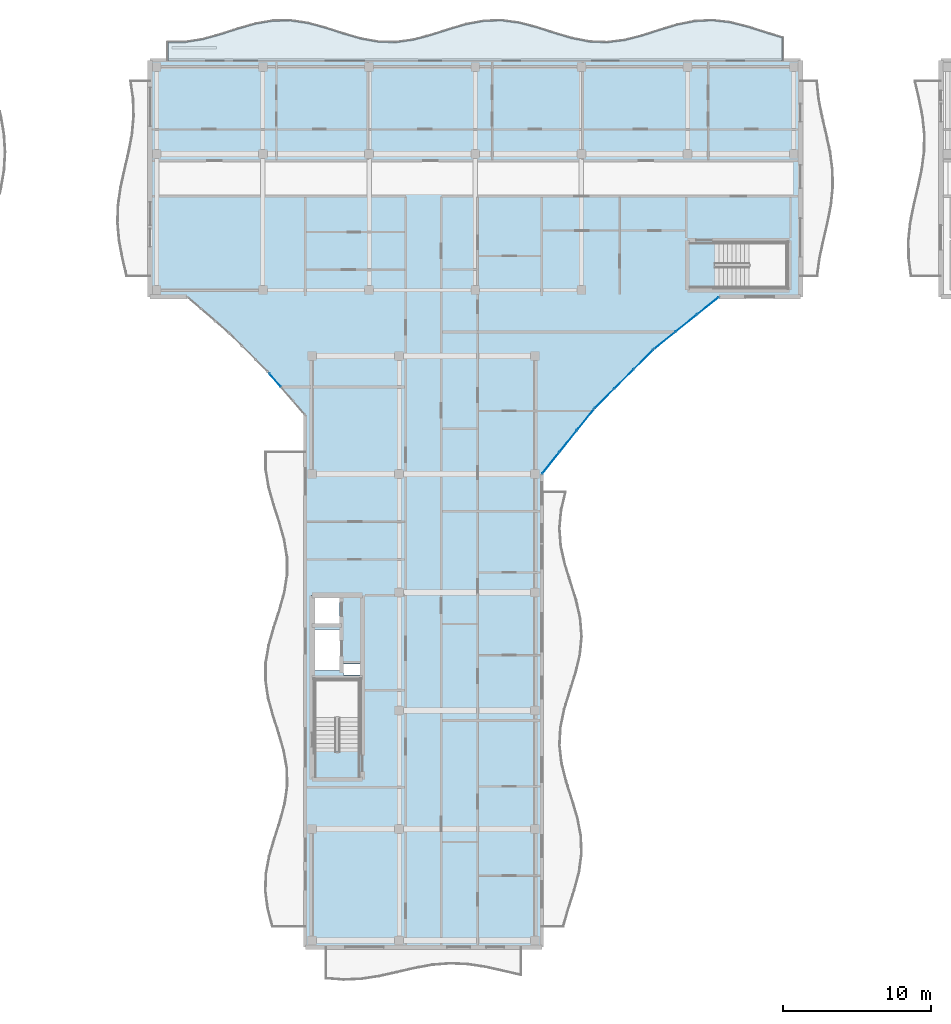
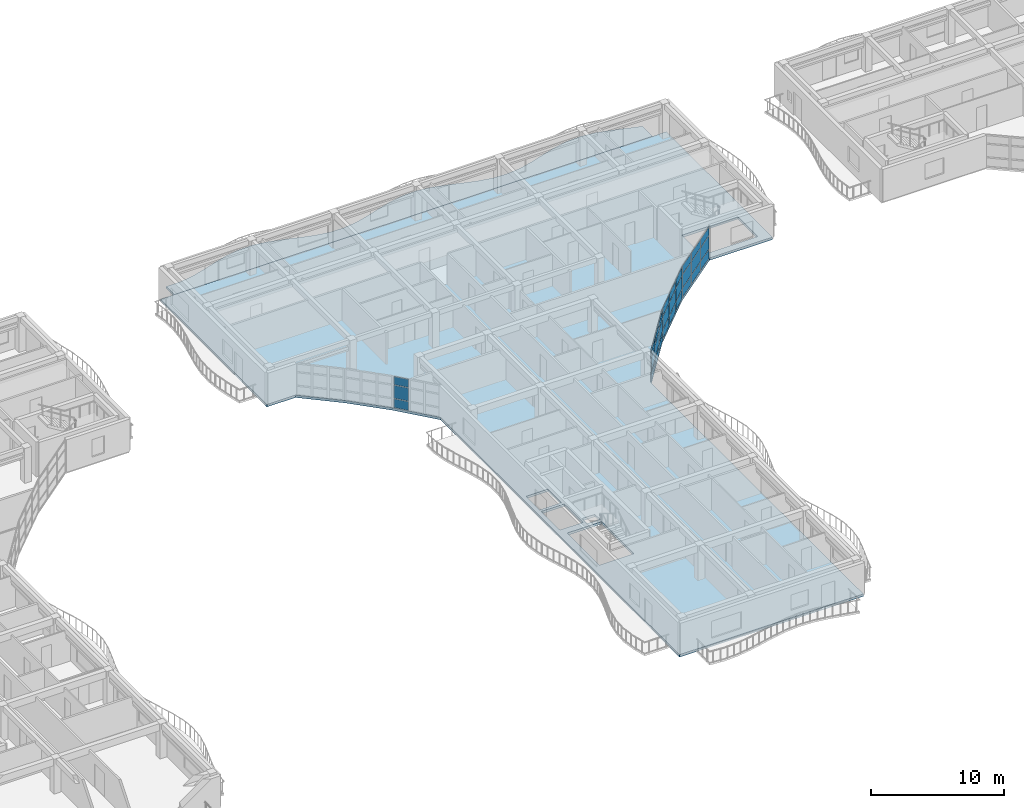
# One storey, part 27 of 72: 30 plates, 2 slabs, 4 elements without a shape of their own.
"""IFC4 building model written with IfcOpenShell, lengths in metres."""

from ifc_helpers import new_model, si_unit, direction, frame, origin, origin_2d, place, context, subcontext, project, spatial, polyline, rectangle, outline, extrude, material, layer, layer_set, type_object, element, aggregate, save


model = new_model("IFC4")

# Units and contexts
model_context = context("Model", 3, precision=1e-05, world=origin(), true_north=direction((0.0, 1.0)))
body_context = subcontext(model_context, "Body", "Model", "MODEL_VIEW")
ifc_project = project(units=[si_unit("LENGTHUNIT", "METRE"), si_unit("AREAUNIT", "SQUARE_METRE"), si_unit("VOLUMEUNIT", "CUBIC_METRE"), si_unit("PLANEANGLEUNIT", "RADIAN"), si_unit("MASSUNIT", "GRAM", prefix="KILO")], contexts=[model_context])

# Site, building, storey
site_placement = place(None, origin())
site = spatial("IfcSite", under=ifc_project, at=site_placement, CompositionType="ELEMENT")
building_placement = place(site_placement, origin())
building = spatial("IfcBuilding", under=site, at=building_placement, Name="Keldmere Railside Commons", CompositionType="ELEMENT")
storey_placement = place(building_placement, frame((0.0, 0.0, 16.9599609375)))
storey = spatial("IfcBuildingStorey", under=building, at=storey_placement, Name="L05", CompositionType="ELEMENT", Elevation=16.9599609375)

# Curtain wall, plates
ifc_material_1 = material(Name="Thermally Broken Aluminium", Category="aluminium")
ifc_layer_1 = layer(ifc_material_1, 0.159912109375, Name="Court Chord Wintergarden CW 4800x2850")
ifc_layer_set_1 = layer_set([ifc_layer_1], Name="Thermally Broken Aluminium")
curtain_wall_type_1 = type_object("IfcCurtainWallType", Name="Court Chord Wintergarden CW 4800x2850", PredefinedType="NOTDEFINED", material=ifc_layer_set_1)
curtain_wall_1_placement = place(storey_placement, origin())
curtain_wall_1 = element("IfcCurtainWall", 1, at=curtain_wall_1_placement, inside=storey, type_object=curtain_wall_type_1, Name="CW-12 CW-L05-115", PredefinedType="NOTDEFINED")
ifc_material_2 = material(Name="Low-E Insulated Double Glazing", Category="glass")
ifc_layer_2 = layer(ifc_material_2, 0.033935546875, Name="Acoustic Laminated Vision Panel 34")
ifc_layer_set_2 = layer_set([ifc_layer_2], Name="Low-E Insulated Double Glazing")
plate_type_1 = type_object("IfcPlateType", Name="Acoustic Laminated Vision Panel 34", PredefinedType="CURTAIN_PANEL", material=ifc_layer_set_2)
plate_1_placement = place(storey_placement, frame((122.951416015625, 91.678955078125, 0.06494140625), z_axis=(0.0, 0.0, 1.0), x_axis=(-0.625768080915, -0.780009172323, 0.0)))
plate_1 = element("IfcPlate", 2, at=plate_1_placement, type_object=plate_type_1, Name="CW-12 panel 1.1", PredefinedType="CURTAIN_PANEL", context=body_context, shape_type="SweptSolid", body=[
    extrude(rectangle(XDim=1.795654296875, YDim=0.033935546875, at=origin_2d()), origin(), (0.0, 0.0, 1.0), 0.802490234375),
])
plate_2_placement = place(storey_placement, frame((122.951416015625, 91.678955078125, 0.9326171875), z_axis=(0.0, 0.0, 1.0), x_axis=(-0.625768080915, -0.780009172323, 0.0)))
plate_2 = element("IfcPlate", 3, at=plate_2_placement, type_object=plate_type_1, Name="CW-12 panel 1.2", PredefinedType="CURTAIN_PANEL", context=body_context, shape_type="SweptSolid", body=[
    extrude(rectangle(XDim=1.795654296875, YDim=0.033935546875, at=origin_2d()), origin(), (0.0, 0.0, 1.0), 1.18505859375),
])
plate_3_placement = place(storey_placement, frame((122.951416015625, 91.678955078125, 2.1826171875), z_axis=(0.0, 0.0, 1.0), x_axis=(-0.625768080915, -0.780009172323, 0.0)))
plate_3 = element("IfcPlate", 4, at=plate_3_placement, type_object=plate_type_1, Name="CW-12 panel 1.3", PredefinedType="CURTAIN_PANEL", context=body_context, shape_type="SweptSolid", body=[
    extrude(rectangle(XDim=1.795654296875, YDim=0.033935546875, at=origin_2d()), origin(), (0.0, 0.0, 1.0), 0.732421875),
])
plate_4_placement = place(storey_placement, frame((121.777099609375, 90.215087890625, 0.06494140625), z_axis=(0.0, 0.0, 1.0), x_axis=(-0.625768080915, -0.780009172323, 0.0)))
plate_4 = element("IfcPlate", 5, at=plate_4_placement, type_object=plate_type_1, Name="CW-12 panel 2.1", PredefinedType="CURTAIN_PANEL", context=body_context, shape_type="SweptSolid", body=[
    extrude(rectangle(XDim=1.828125, YDim=0.033935546875, at=origin_2d()), origin(), (0.0, 0.0, 1.0), 0.802490234375),
])
plate_5_placement = place(storey_placement, frame((121.777099609375, 90.215087890625, 0.9326171875), z_axis=(0.0, 0.0, 1.0), x_axis=(-0.625768080915, -0.780009172323, 0.0)))
plate_5 = element("IfcPlate", 6, at=plate_5_placement, type_object=plate_type_1, Name="CW-12 panel 2.2", PredefinedType="CURTAIN_PANEL", context=body_context, shape_type="SweptSolid", body=[
    extrude(rectangle(XDim=1.828125, YDim=0.033935546875, at=origin_2d()), origin(), (0.0, 0.0, 1.0), 1.18505859375),
])
plate_6_placement = place(storey_placement, frame((121.777099609375, 90.215087890625, 2.1826171875), z_axis=(0.0, 0.0, 1.0), x_axis=(-0.625768080915, -0.780009172323, 0.0)))
plate_6 = element("IfcPlate", 7, at=plate_6_placement, type_object=plate_type_1, Name="CW-12 panel 2.3", PredefinedType="CURTAIN_PANEL", context=body_context, shape_type="SweptSolid", body=[
    extrude(rectangle(XDim=1.828125, YDim=0.033935546875, at=origin_2d()), origin(), (0.0, 0.0, 1.0), 0.732421875),
])
plate_7_placement = place(storey_placement, frame((120.6025390625, 88.7509765625, 0.06494140625), z_axis=(0.0, 0.0, 1.0), x_axis=(-0.625768080915, -0.780009172323, 0.0)))
plate_7 = element("IfcPlate", 8, at=plate_7_placement, type_object=plate_type_1, Name="CW-12 panel 3.1", PredefinedType="CURTAIN_PANEL", context=body_context, shape_type="SweptSolid", body=[
    extrude(rectangle(XDim=1.795654296875, YDim=0.033935546875, at=origin_2d()), origin(), (0.0, 0.0, 1.0), 0.802490234375),
])
plate_8_placement = place(storey_placement, frame((120.6025390625, 88.7509765625, 0.9326171875), z_axis=(0.0, 0.0, 1.0), x_axis=(-0.625768080915, -0.780009172323, 0.0)))
plate_8 = element("IfcPlate", 9, at=plate_8_placement, type_object=plate_type_1, Name="CW-12 panel 3.2", PredefinedType="CURTAIN_PANEL", context=body_context, shape_type="SweptSolid", body=[
    extrude(rectangle(XDim=1.795654296875, YDim=0.033935546875, at=origin_2d()), origin(), (0.0, 0.0, 1.0), 1.18505859375),
])
plate_9_placement = place(storey_placement, frame((120.6025390625, 88.7509765625, 2.1826171875), z_axis=(0.0, 0.0, 1.0), x_axis=(-0.625768080915, -0.780009172323, 0.0)))
plate_9 = element("IfcPlate", 10, at=plate_9_placement, type_object=plate_type_1, Name="CW-12 panel 3.3", PredefinedType="CURTAIN_PANEL", context=body_context, shape_type="SweptSolid", body=[
    extrude(rectangle(XDim=1.795654296875, YDim=0.033935546875, at=origin_2d()), origin(), (0.0, 0.0, 1.0), 0.732421875),
])
aggregate(curtain_wall_1, [plate_1, plate_2, plate_3, plate_4, plate_5, plate_6, plate_7, plate_8, plate_9])

ifc_layer_3 = layer(ifc_material_1, 0.159912109375, Name="Court Chord Wintergarden CW 5400x2850")
ifc_layer_set_3 = layer_set([ifc_layer_3], Name="Thermally Broken Aluminium")
curtain_wall_type_2 = type_object("IfcCurtainWallType", Name="Court Chord Wintergarden CW 5400x2850", PredefinedType="NOTDEFINED", material=ifc_layer_set_3)
curtain_wall_2_placement = place(storey_placement, origin())
curtain_wall_2 = element("IfcCurtainWall", 11, at=curtain_wall_2_placement, inside=storey, type_object=curtain_wall_type_2, Name="CW-13 CW-L05-116", PredefinedType="NOTDEFINED")
ifc_layer_4 = layer(ifc_material_2, 0.031982421875, Name="Clerestory Solar-Control Vision Panel 32")
ifc_layer_set_4 = layer_set([ifc_layer_4], Name="Low-E Insulated Double Glazing")
plate_type_2 = type_object("IfcPlateType", Name="Clerestory Solar-Control Vision Panel 32", PredefinedType="CURTAIN_PANEL", material=ifc_layer_set_4)
plate_10_placement = place(storey_placement, frame((126.88916015625, 95.76513671875, 0.06494140625), z_axis=(0.0, 0.0, 1.0), x_axis=(-0.707106781187, -0.707106781187, 0.0)))
plate_10 = element("IfcPlate", 12, at=plate_10_placement, type_object=plate_type_2, Name="CW-13 panel 1.1", PredefinedType="CURTAIN_PANEL", context=body_context, shape_type="SweptSolid", body=[
    extrude(rectangle(XDim=1.795654296875, YDim=0.031982421875, at=origin_2d()), origin(), (0.0, 0.0, 1.0), 0.802490234375),
])
plate_11_placement = place(storey_placement, frame((126.88916015625, 95.76513671875, 0.9326171875), z_axis=(0.0, 0.0, 1.0), x_axis=(-0.707106781187, -0.707106781187, 0.0)))
plate_11 = element("IfcPlate", 13, at=plate_11_placement, type_object=plate_type_2, Name="CW-13 panel 1.2", PredefinedType="CURTAIN_PANEL", context=body_context, shape_type="SweptSolid", body=[
    extrude(rectangle(XDim=1.795654296875, YDim=0.031982421875, at=origin_2d()), origin(), (0.0, 0.0, 1.0), 1.18505859375),
])
plate_12_placement = place(storey_placement, frame((126.88916015625, 95.76513671875, 2.1826171875), z_axis=(0.0, 0.0, 1.0), x_axis=(-0.707106781187, -0.707106781187, 0.0)))
plate_12 = element("IfcPlate", 14, at=plate_12_placement, type_object=plate_type_2, Name="CW-13 panel 1.3", PredefinedType="CURTAIN_PANEL", context=body_context, shape_type="SweptSolid", body=[
    extrude(rectangle(XDim=1.795654296875, YDim=0.031982421875, at=origin_2d()), origin(), (0.0, 0.0, 1.0), 0.732421875),
])
plate_13_placement = place(storey_placement, frame((125.56201171875, 94.43798828125, 0.06494140625), z_axis=(0.0, 0.0, 1.0), x_axis=(-0.707106781187, -0.707106781187, 0.0)))
plate_13 = element("IfcPlate", 15, at=plate_13_placement, type_object=plate_type_2, Name="CW-13 panel 2.1", PredefinedType="CURTAIN_PANEL", context=body_context, shape_type="SweptSolid", body=[
    extrude(rectangle(XDim=1.828125, YDim=0.031982421875, at=origin_2d()), origin(), (0.0, 0.0, 1.0), 0.802490234375),
])
plate_14_placement = place(storey_placement, frame((125.56201171875, 94.43798828125, 0.9326171875), z_axis=(0.0, 0.0, 1.0), x_axis=(-0.707106781187, -0.707106781187, 0.0)))
plate_14 = element("IfcPlate", 16, at=plate_14_placement, type_object=plate_type_2, Name="CW-13 panel 2.2", PredefinedType="CURTAIN_PANEL", context=body_context, shape_type="SweptSolid", body=[
    extrude(rectangle(XDim=1.828125, YDim=0.031982421875, at=origin_2d()), origin(), (0.0, 0.0, 1.0), 1.18505859375),
])
plate_15_placement = place(storey_placement, frame((125.56201171875, 94.43798828125, 2.1826171875), z_axis=(0.0, 0.0, 1.0), x_axis=(-0.707106781187, -0.707106781187, 0.0)))
plate_15 = element("IfcPlate", 17, at=plate_15_placement, type_object=plate_type_2, Name="CW-13 panel 2.3", PredefinedType="CURTAIN_PANEL", context=body_context, shape_type="SweptSolid", body=[
    extrude(rectangle(XDim=1.828125, YDim=0.031982421875, at=origin_2d()), origin(), (0.0, 0.0, 1.0), 0.732421875),
])
plate_16_placement = place(storey_placement, frame((124.23486328125, 93.11083984375, 0.06494140625), z_axis=(0.0, 0.0, 1.0), x_axis=(-0.707106781187, -0.707106781187, 0.0)))
plate_16 = element("IfcPlate", 18, at=plate_16_placement, type_object=plate_type_2, Name="CW-13 panel 3.1", PredefinedType="CURTAIN_PANEL", context=body_context, shape_type="SweptSolid", body=[
    extrude(rectangle(XDim=1.795654296875, YDim=0.031982421875, at=origin_2d()), origin(), (0.0, 0.0, 1.0), 0.802490234375),
])
plate_17_placement = place(storey_placement, frame((124.23486328125, 93.11083984375, 0.9326171875), z_axis=(0.0, 0.0, 1.0), x_axis=(-0.707106781187, -0.707106781187, 0.0)))
plate_17 = element("IfcPlate", 19, at=plate_17_placement, type_object=plate_type_2, Name="CW-13 panel 3.2", PredefinedType="CURTAIN_PANEL", context=body_context, shape_type="SweptSolid", body=[
    extrude(rectangle(XDim=1.795654296875, YDim=0.031982421875, at=origin_2d()), origin(), (0.0, 0.0, 1.0), 1.18505859375),
])
plate_18_placement = place(storey_placement, frame((124.23486328125, 93.11083984375, 2.1826171875), z_axis=(0.0, 0.0, 1.0), x_axis=(-0.707106781187, -0.707106781187, 0.0)))
plate_18 = element("IfcPlate", 20, at=plate_18_placement, type_object=plate_type_2, Name="CW-13 panel 3.3", PredefinedType="CURTAIN_PANEL", context=body_context, shape_type="SweptSolid", body=[
    extrude(rectangle(XDim=1.795654296875, YDim=0.031982421875, at=origin_2d()), origin(), (0.0, 0.0, 1.0), 0.732421875),
])
aggregate(curtain_wall_2, [plate_10, plate_11, plate_12, plate_13, plate_14, plate_15, plate_16, plate_17, plate_18])

curtain_wall_3_placement = place(storey_placement, origin())
curtain_wall_3 = element("IfcCurtainWall", 21, at=curtain_wall_3_placement, inside=storey, type_object=curtain_wall_type_1, Name="CW-12 CW-L05-117", PredefinedType="NOTDEFINED")
ifc_layer_5 = layer(ifc_material_2, 0.028076171875, Name="Low-E Vision Glazing Panel 28")
ifc_layer_set_5 = layer_set([ifc_layer_5], Name="Low-E Insulated Double Glazing")
plate_type_3 = type_object("IfcPlateType", Name="Low-E Vision Glazing Panel 28", PredefinedType="CURTAIN_PANEL", material=ifc_layer_set_5)
plate_19_placement = place(storey_placement, frame((131.2490234375, 99.3974609375, 0.06494140625), z_axis=(0.0, 0.0, 1.0), x_axis=(-0.780009172323, -0.625768080915, 0.0)))
plate_19 = element("IfcPlate", 22, at=plate_19_placement, type_object=plate_type_3, Name="CW-12 panel 1.1", PredefinedType="CURTAIN_PANEL", context=body_context, shape_type="SweptSolid", body=[
    extrude(rectangle(XDim=1.795654296875, YDim=0.028076171875, at=origin_2d()), origin(), (0.0, 0.0, 1.0), 0.802490234375),
])
plate_20_placement = place(storey_placement, frame((131.2490234375, 99.3974609375, 0.9326171875), z_axis=(0.0, 0.0, 1.0), x_axis=(-0.780009172323, -0.625768080915, 0.0)))
plate_20 = element("IfcPlate", 23, at=plate_20_placement, type_object=plate_type_3, Name="CW-12 panel 1.2", PredefinedType="CURTAIN_PANEL", context=body_context, shape_type="SweptSolid", body=[
    extrude(rectangle(XDim=1.795654296875, YDim=0.028076171875, at=origin_2d()), origin(), (0.0, 0.0, 1.0), 1.18505859375),
])
plate_21_placement = place(storey_placement, frame((131.2490234375, 99.3974609375, 2.1826171875), z_axis=(0.0, 0.0, 1.0), x_axis=(-0.780009172323, -0.625768080915, 0.0)))
plate_21 = element("IfcPlate", 24, at=plate_21_placement, type_object=plate_type_3, Name="CW-12 panel 1.3", PredefinedType="CURTAIN_PANEL", context=body_context, shape_type="SweptSolid", body=[
    extrude(rectangle(XDim=1.795654296875, YDim=0.028076171875, at=origin_2d()), origin(), (0.0, 0.0, 1.0), 0.732421875),
])
plate_22_placement = place(storey_placement, frame((129.784912109375, 98.222900390625, 0.06494140625), z_axis=(0.0, 0.0, 1.0), x_axis=(-0.780009172323, -0.625768080915, 0.0)))
plate_22 = element("IfcPlate", 25, at=plate_22_placement, type_object=plate_type_3, Name="CW-12 panel 2.1", PredefinedType="CURTAIN_PANEL", context=body_context, shape_type="SweptSolid", body=[
    extrude(rectangle(XDim=1.828125, YDim=0.028076171875, at=origin_2d()), origin(), (0.0, 0.0, 1.0), 0.802490234375),
])
plate_23_placement = place(storey_placement, frame((129.784912109375, 98.222900390625, 0.9326171875), z_axis=(0.0, 0.0, 1.0), x_axis=(-0.780009172323, -0.625768080915, 0.0)))
plate_23 = element("IfcPlate", 26, at=plate_23_placement, type_object=plate_type_3, Name="CW-12 panel 2.2", PredefinedType="CURTAIN_PANEL", context=body_context, shape_type="SweptSolid", body=[
    extrude(rectangle(XDim=1.828125, YDim=0.028076171875, at=origin_2d()), origin(), (0.0, 0.0, 1.0), 1.18505859375),
])
plate_24_placement = place(storey_placement, frame((129.784912109375, 98.222900390625, 2.1826171875), z_axis=(0.0, 0.0, 1.0), x_axis=(-0.780009172323, -0.625768080915, 0.0)))
plate_24 = element("IfcPlate", 27, at=plate_24_placement, type_object=plate_type_3, Name="CW-12 panel 2.3", PredefinedType="CURTAIN_PANEL", context=body_context, shape_type="SweptSolid", body=[
    extrude(rectangle(XDim=1.828125, YDim=0.028076171875, at=origin_2d()), origin(), (0.0, 0.0, 1.0), 0.732421875),
])
plate_25_placement = place(storey_placement, frame((128.321044921875, 97.048583984375, 0.06494140625), z_axis=(0.0, 0.0, 1.0), x_axis=(-0.780009172323, -0.625768080915, 0.0)))
plate_25 = element("IfcPlate", 28, at=plate_25_placement, type_object=plate_type_3, Name="CW-12 panel 3.1", PredefinedType="CURTAIN_PANEL", context=body_context, shape_type="SweptSolid", body=[
    extrude(rectangle(XDim=1.795654296875, YDim=0.028076171875, at=origin_2d()), origin(), (0.0, 0.0, 1.0), 0.802490234375),
])
plate_26_placement = place(storey_placement, frame((128.321044921875, 97.048583984375, 0.9326171875), z_axis=(0.0, 0.0, 1.0), x_axis=(-0.780009172323, -0.625768080915, 0.0)))
plate_26 = element("IfcPlate", 29, at=plate_26_placement, type_object=plate_type_3, Name="CW-12 panel 3.2", PredefinedType="CURTAIN_PANEL", context=body_context, shape_type="SweptSolid", body=[
    extrude(rectangle(XDim=1.795654296875, YDim=0.028076171875, at=origin_2d()), origin(), (0.0, 0.0, 1.0), 1.18505859375),
])
plate_27_placement = place(storey_placement, frame((128.321044921875, 97.048583984375, 2.1826171875), z_axis=(0.0, 0.0, 1.0), x_axis=(-0.780009172323, -0.625768080915, 0.0)))
plate_27 = element("IfcPlate", 30, at=plate_27_placement, type_object=plate_type_3, Name="CW-12 panel 3.3", PredefinedType="CURTAIN_PANEL", context=body_context, shape_type="SweptSolid", body=[
    extrude(rectangle(XDim=1.795654296875, YDim=0.028076171875, at=origin_2d()), origin(), (0.0, 0.0, 1.0), 0.732421875),
])
aggregate(curtain_wall_3, [plate_19, plate_20, plate_21, plate_22, plate_23, plate_24, plate_25, plate_26, plate_27])

curtain_wall_4_placement = place(storey_placement, origin())
curtain_wall_4 = element("IfcCurtainWall", 31, at=curtain_wall_4_placement, inside=storey, type_object=curtain_wall_type_1, Name="CW-12 CW-L05-120", PredefinedType="NOTDEFINED")
plate_28_placement = place(storey_placement, frame((101.952392578125, 94.369384765625, 0.06494140625), z_axis=(0.0, 0.0, 1.0), x_axis=(-0.653881741053, 0.756596767584, 0.0)))
plate_28 = element("IfcPlate", 32, at=plate_28_placement, type_object=plate_type_3, Name="CW-12 panel 3.1", PredefinedType="CURTAIN_PANEL", context=body_context, shape_type="SweptSolid", body=[
    extrude(rectangle(XDim=1.16162109375, YDim=0.028076171875, at=origin_2d()), origin(), (0.0, 0.0, 1.0), 0.802490234375),
])
plate_29_placement = place(storey_placement, frame((101.952392578125, 94.369384765625, 0.9326171875), z_axis=(0.0, 0.0, 1.0), x_axis=(-0.653881741053, 0.756596767584, 0.0)))
plate_29 = element("IfcPlate", 33, at=plate_29_placement, type_object=plate_type_3, Name="CW-12 panel 3.2", PredefinedType="CURTAIN_PANEL", context=body_context, shape_type="SweptSolid", body=[
    extrude(rectangle(XDim=1.16162109375, YDim=0.028076171875, at=origin_2d()), origin(), (0.0, 0.0, 1.0), 1.18505859375),
])
plate_30_placement = place(storey_placement, frame((101.952392578125, 94.369384765625, 2.1826171875), z_axis=(0.0, 0.0, 1.0), x_axis=(-0.653881741053, 0.756596767584, 0.0)))
plate_30 = element("IfcPlate", 34, at=plate_30_placement, type_object=plate_type_3, Name="CW-12 panel 3.3", PredefinedType="CURTAIN_PANEL", context=body_context, shape_type="SweptSolid", body=[
    extrude(rectangle(XDim=1.16162109375, YDim=0.028076171875, at=origin_2d()), origin(), (0.0, 0.0, 1.0), 0.732421875),
])
aggregate(curtain_wall_4, [plate_28, plate_29, plate_30])

# Slabs
ifc_material_3 = material(Name="Concrete H-30 (C30/37)", Category="concrete")
ifc_layer_6 = layer(ifc_material_3, 0.219970703125, Name="Residential Flat Slab 220")
ifc_layer_set_6 = layer_set([ifc_layer_6], Name="Concrete H-30 (C30/37)")
slab_type_1 = type_object("IfcSlabType", Name="Residential Flat Slab 220", PredefinedType="FLOOR", material=ifc_layer_set_6)
slab_1_placement = place(storey_placement, frame((0.0, 0.0, -0.219970703125)))
element("IfcSlab", 35, at=slab_1_placement, inside=storey, type_object=slab_type_1, Name="FS-2 BLKB-L05-040", PredefinedType="FLOOR", context=body_context, shape_type="SweptSolid", body=[
    extrude(outline(polyline([(104.0, 56.0), (120.0, 56.0), (120.0, 88.0), (123.553955078125, 92.429931640625), (127.570068359375, 96.446044921875), (132.0, 100.0), (137.5, 100.0), (137.5, 116.0), (93.5, 116.0), (93.5, 100.0), (96.0, 100.0), (98.85791015625, 97.530029296875), (101.530029296875, 94.85791015625), (104.0, 92.0), (104.0, 56.0)]), holes=[polyline([(107.675048828125, 69.22509765625), (104.675048828125, 69.22509765625), (104.675048828125, 74.074951171875), (107.675048828125, 74.074951171875), (107.675048828125, 69.22509765625)]), polyline([(107.699951171875, 74.419921875), (106.60009765625, 74.419921875), (106.60009765625, 75.159912109375), (107.699951171875, 75.159912109375), (107.699951171875, 74.419921875)]), polyline([(104.39990234375, 74.699951171875), (104.39990234375, 77.5), (106.39990234375, 77.5), (106.39990234375, 74.699951171875), (104.39990234375, 74.699951171875)]), polyline([(106.300048828125, 77.75), (104.39990234375, 77.75), (104.39990234375, 79.800048828125), (106.300048828125, 79.800048828125), (106.300048828125, 77.75)]), polyline([(131.72509765625, 103.625), (136.574951171875, 103.625), (136.574951171875, 100.625), (131.72509765625, 100.625), (131.72509765625, 103.625)])]), origin(), (0.0, 0.0, 1.0), 0.219970703125),
])
ifc_material_4 = material(Name="White Precast Concrete H-35 (C35/45)", Category="concrete")
ifc_layer_7 = layer(ifc_material_4, 0.179931640625, Name="Sinusoidal Wave Balcony Slab 180")
ifc_layer_set_7 = layer_set([ifc_layer_7], Name="White Precast Concrete H-35 (C35/45)")
slab_type_2 = type_object("IfcSlabType", Name="Sinusoidal Wave Balcony Slab 180", PredefinedType="FLOOR", material=ifc_layer_set_7)
slab_2_placement = place(storey_placement, frame((0.0, 0.0, -0.179931640625)))
element("IfcSlab", 36, at=slab_2_placement, inside=storey, type_object=slab_type_2, Name="WB-1 B L05 N Wave Balcony", PredefinedType="FLOOR", context=body_context, shape_type="SweptSolid", body=[
    extrude(outline(polyline([(94.699951171875, 116.0), (95.888671875, 116.0), (97.0771484375, 116.0), (98.265625, 116.0), (99.454345703125, 116.0), (100.642822265625, 116.0), (101.831298828125, 116.0), (103.02001953125, 116.0), (104.20849609375, 116.0), (105.397216796875, 116.0), (106.585693359375, 116.0), (107.7744140625, 116.0), (108.962890625, 116.0), (110.1513671875, 116.0), (111.340087890625, 116.0), (112.528564453125, 116.0), (113.717041015625, 116.0), (114.90576171875, 116.0), (116.09423828125, 116.0), (117.282958984375, 116.0), (118.471435546875, 116.0), (119.659912109375, 116.0), (120.8486328125, 116.0), (122.037109375, 116.0), (123.2255859375, 116.0), (124.414306640625, 116.0), (125.602783203125, 116.0), (126.79150390625, 116.0), (127.97998046875, 116.0), (129.168701171875, 116.0), (130.357177734375, 116.0), (131.545654296875, 116.0), (132.734375, 116.0), (133.9228515625, 116.0), (135.111328125, 116.0), (136.300048828125, 116.0), (136.300048828125, 117.520263671875), (135.111328125, 117.88134765625), (133.9228515625, 118.260498046875), (132.734375, 118.55810546875), (131.545654296875, 118.69580078125), (130.357177734375, 118.63720703125), (129.168701171875, 118.39794921875), (127.97998046875, 118.041015625), (126.79150390625, 117.659912109375), (125.602783203125, 117.355224609375), (124.414306640625, 117.20703125), (123.2255859375, 117.254150390625), (122.037109375, 117.484130859375), (120.8486328125, 117.8369140625), (119.659912109375, 118.21923828125), (118.471435546875, 118.53076171875), (117.282958984375, 118.689697265625), (116.09423828125, 118.654052734375), (114.90576171875, 118.43310546875), (113.717041015625, 118.085205078125), (112.528564453125, 117.701904296875), (111.340087890625, 117.3837890625), (110.1513671875, 117.21435546875), (108.962890625, 117.238525390625), (107.7744140625, 117.449951171875), (106.585693359375, 117.792724609375), (105.397216796875, 118.177001953125), (104.20849609375, 118.50146484375), (103.02001953125, 118.680908203125), (101.831298828125, 118.668212890625), (100.642822265625, 118.466552734375), (99.454345703125, 118.129150390625), (98.265625, 117.74462890625), (97.0771484375, 117.4140625), (95.888671875, 117.224609375), (94.699951171875, 117.2255859375), (94.699951171875, 116.0)])), origin(), (0.0, 0.0, 1.0), 0.179931640625),
])

save(model, "model.ifc")
